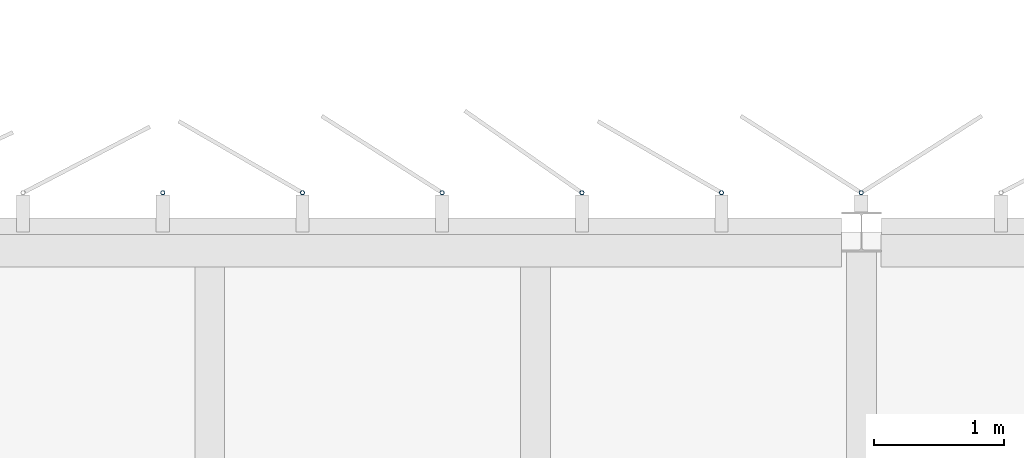
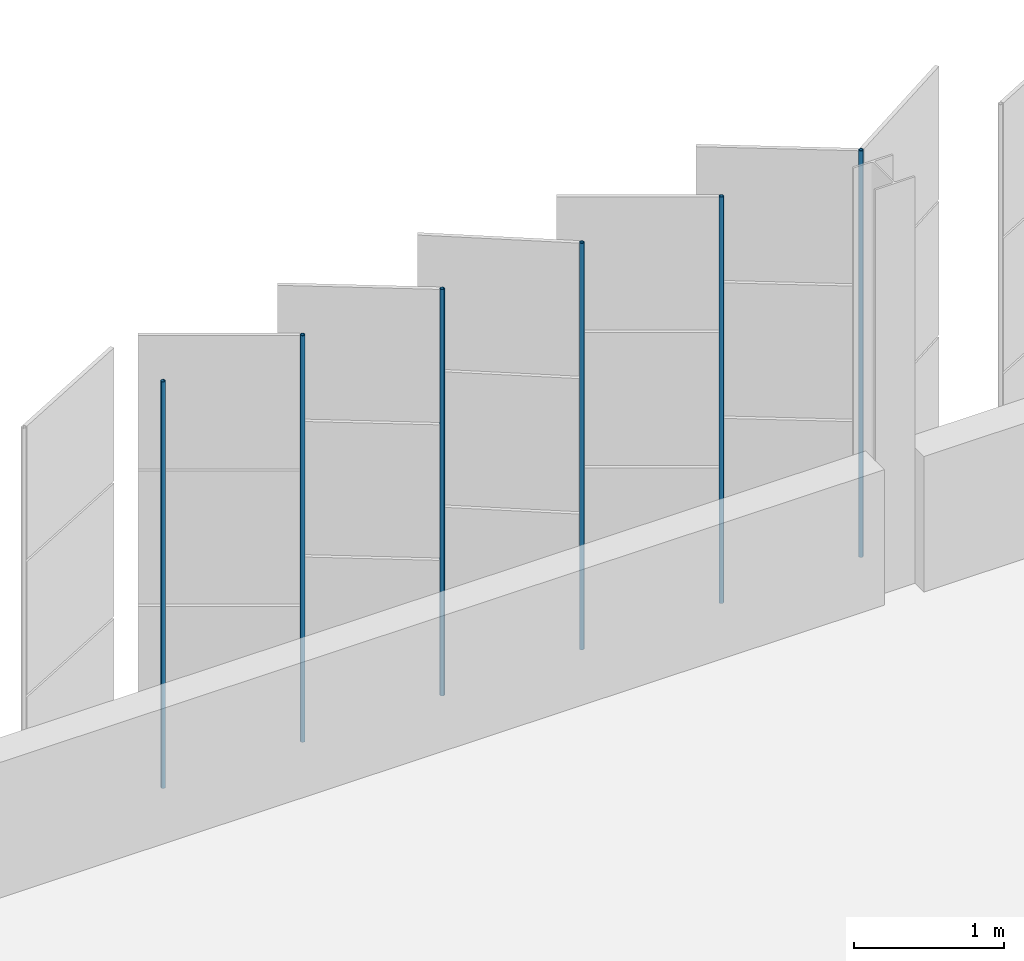
# One storey, part 151 of 199: 6 discrete accessories.
"""IFC4 building model written with IfcOpenShell, lengths in metres."""

from ifc_helpers import new_model, si_unit, direction, frame, origin, origin_2d, place, context, subcontext, project, spatial, hollow_circle, extrude, material, material_profile, profile_set, type_object, element, save


model = new_model("IFC4")

# Units and contexts
model_context = context("Model", 3, precision=1e-05, world=origin(), true_north=direction((0.0, 1.0)))
body_context = subcontext(model_context, "Body", "Model", "MODEL_VIEW")
ifc_project = project(units=[si_unit("LENGTHUNIT", "METRE"), si_unit("AREAUNIT", "SQUARE_METRE"), si_unit("VOLUMEUNIT", "CUBIC_METRE"), si_unit("PLANEANGLEUNIT", "RADIAN"), si_unit("MASSUNIT", "GRAM", prefix="KILO")], contexts=[model_context])

# Site, building, storey
site_placement = place(None, origin())
site = spatial("IfcSite", under=ifc_project, at=site_placement, CompositionType="ELEMENT")
building_placement = place(site_placement, origin())
building = spatial("IfcBuilding", under=site, at=building_placement, Name="Parallax Yard Mobility Hub", CompositionType="ELEMENT")
storey_placement = place(building_placement, frame((0.0, 0.0, 9.89990234375)))
storey = spatial("IfcBuildingStorey", under=building, at=storey_placement, Name="L03", CompositionType="ELEMENT", Elevation=9.89990234375)

# Discrete accessories
ifc_material = material(Name="Steel ASTM A500 Gr C, hot-dip galvanised", Category="steel")
ifc_material_profile = material_profile(ifc_material, hollow_circle(Radius=0.016845703125, WallThickness=0.003173828125, at=origin_2d()), Name="CHS 33.7x3.2")
ifc_profile_set = profile_set([ifc_material_profile], Name="Steel ASTM A500 Gr C, hot-dip galvanised")
discrete_accessory_type = type_object("IfcDiscreteAccessoryType", Name="Hinge post CHS 33.7x3.2", PredefinedType="BRACKET", material=ifc_profile_set)
for number, where, z_axis, x_axis, name in (
    (1, (142.498291015625, 142.800048828125, 0.0), (0.0, 0.0, 1.0), (1.0, 0.0, 0.0), "Hinge post bay 55.1 level L03"),
    (2, (141.4267578125, 142.800048828125, 0.0), (0.0, 0.0, 1.0), (1.0, 0.0, 0.0), "Hinge post bay 55.2 level L03"),
    (3, (140.355224609375, 142.800048828125, 0.0), (0.0, 0.0, 1.0), (1.0, 0.0, 0.0), "Hinge post bay 55.3 level L03"),
    (4, (139.28369140625, 142.800048828125, 0.0), (0.0, 0.0, 1.0), (1.0, 0.0, 0.0), "Hinge post bay 55.4 level L03"),
    (5, (138.212158203125, 142.800048828125, 0.0), (0.0, 0.0, 1.0), (1.0, 0.0, 0.0), "Hinge post bay 55.5 level L03"),
    (6, (137.140380859375, 142.800048828125, 0.0), (0.0, 0.0, 1.0), (1.0, 0.0, 0.0), "Hinge post bay 55.6 level L03"),
):
    element("IfcDiscreteAccessory", number, at=place(storey_placement, frame(where, z_axis=z_axis, x_axis=x_axis)), inside=storey, type_object=discrete_accessory_type, Name=name, PredefinedType="BRACKET", context=body_context, shape_type="SweptSolid", body=[
        extrude(hollow_circle(Radius=0.016845703125, WallThickness=0.003173828125, at=origin_2d()), origin(), (0.0, 0.0, 1.0), 3.300048828125),
    ])

save(model, "model.ifc")
